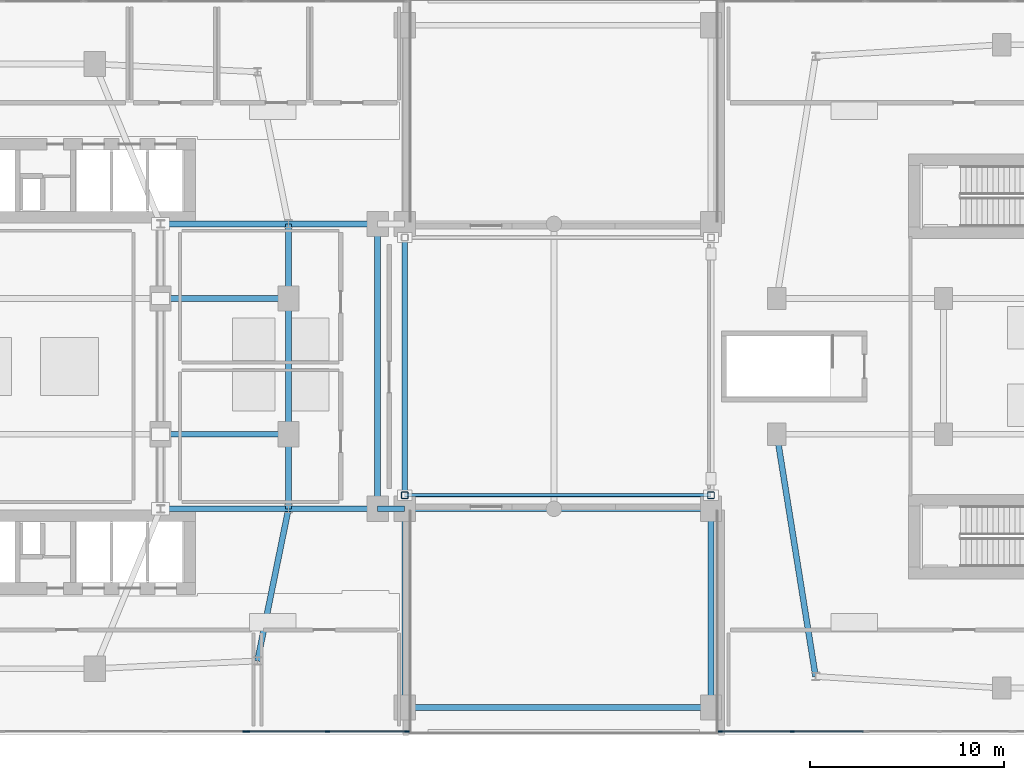
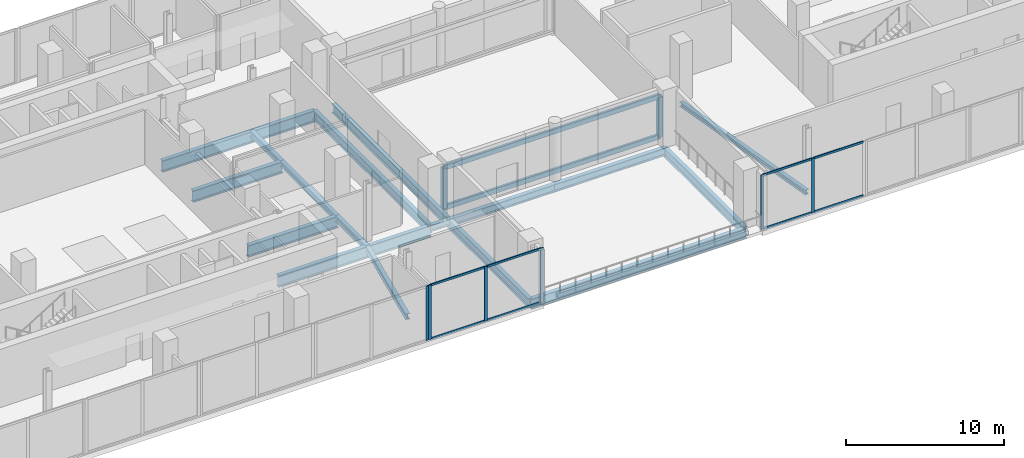
# One storey, part 6 of 21: 19 beams, 18 members, 3 elements without a shape of their own.
"""IFC4 building model written with IfcOpenShell, lengths in metres."""

import ifcopenshell
import ifcopenshell.guid

model = None  # the IFC model being written
_history = None  # IfcOwnerHistory: only IFC2X3 demands one
_inside = {}  # id of a spatial element -> (the spatial element, [elements in it])
_under = {}  # id of a project, library or spatial element -> (it, [spatial elements below it])
_declared = {}  # id of a project -> (the project, [libraries it declares])
_typed = {}  # id of a type object -> (the type object, [elements of that type])
_made_of = {}  # id of a material, layer set ... -> (it, [elements and type objects made of it])


def new_model(schema):
    """Start an empty IFC model of exactly this schema.

    Asked for "IFC4X3", IfcOpenShell would pick the latest addendum, in which some entities
    have other attributes; the version numbers below select the first issue.
    IFC2X3 requires an IfcOwnerHistory on every rooted entity: one is made here for all.
    """
    global model, _history
    if schema == "IFC4X3":
        model = ifcopenshell.file(schema_version=(4, 3, 0, 0))
    else:
        model = ifcopenshell.file(schema=schema)
    _inside.clear()
    _under.clear()
    _declared.clear()
    _typed.clear()
    _made_of.clear()
    _history = None
    if model.schema == "IFC2X3":
        org = make("IfcOrganization", Name="unknown")
        user = make(
            "IfcPersonAndOrganization",
            ThePerson=make("IfcPerson", FamilyName="unknown"),
            TheOrganization=org,
        )
        app = make(
            "IfcApplication",
            ApplicationDeveloper=org,
            Version="unknown",
            ApplicationFullName="unknown",
            ApplicationIdentifier="unknown",
        )
        _history = make(
            "IfcOwnerHistory",
            OwningUser=user,
            OwningApplication=app,
            ChangeAction="ADDED",
            CreationDate=0,
        )
    return model


def make(cls, **values):
    """One entity of the class cls with the attributes given. An attribute that is None is left unset."""
    return model.create_entity(
        cls, **{name: value for name, value in values.items() if value is not None}
    )


def rooted(cls, **values):
    """An entity with a GlobalId (a new one), such as an element, a storey or a relation."""
    return make(cls, GlobalId=ifcopenshell.guid.new(), OwnerHistory=_history, **values)


def si_unit(unit_type, name, prefix=None):
    """IfcSIUnit, for example si_unit("LENGTHUNIT", "METRE", prefix="MILLI")."""
    return make("IfcSIUnit", UnitType=unit_type, Prefix=prefix, Name=name)


def derived_unit(unit_type, elements):
    """IfcDerivedUnit: a product of units, each with its exponent."""
    return make(
        "IfcDerivedUnit",
        Elements=[
            make("IfcDerivedUnitElement", Unit=unit, Exponent=power)
            for unit, power in elements
        ],
        UnitType=unit_type,
    )


def assignment(units):
    """IfcUnitAssignment: the units of a project."""
    return None if units is None else make("IfcUnitAssignment", Units=units)


def point(xyz):
    """IfcCartesianPoint."""
    return None if xyz is None else make("IfcCartesianPoint", Coordinates=xyz)


def direction(xyz):
    """IfcDirection."""
    return None if xyz is None else make("IfcDirection", DirectionRatios=xyz)


def frame(location, z_axis=None, x_axis=None):
    """IfcAxis2Placement3D, a coordinate frame: its origin and axes. An axis left out is left unset."""
    return make(
        "IfcAxis2Placement3D",
        Location=point(location),
        Axis=direction(z_axis),
        RefDirection=direction(x_axis),
    )


def frame_2d(location, x_axis=None):
    """IfcAxis2Placement2D, a coordinate frame in the plane: its origin and x axis."""
    return make(
        "IfcAxis2Placement2D", Location=point(location), RefDirection=direction(x_axis)
    )


def origin():
    """The frame at (0, 0, 0) with its axes left unset."""
    return frame((0.0, 0.0, 0.0))


def origin_2d():
    """The frame at (0, 0) in the plane with its x axis left unset."""
    return frame_2d((0.0, 0.0))


def place(relative_to, where):
    """IfcLocalPlacement: puts the frame where relative to a parent placement (None: the world)."""
    return make(
        "IfcLocalPlacement", PlacementRelTo=relative_to, RelativePlacement=where
    )


def context(
    kind, dimensions, precision=None, world=None, true_north=None, identifier=None
):
    """IfcGeometricRepresentationContext, for example the 3D "Model" context."""
    return make(
        "IfcGeometricRepresentationContext",
        ContextIdentifier=identifier,
        ContextType=kind,
        CoordinateSpaceDimension=dimensions,
        Precision=precision,
        WorldCoordinateSystem=world,
        TrueNorth=true_north,
    )


def subcontext(parent, identifier, kind, view, scale=None):
    """IfcGeometricRepresentationSubContext, for example "Body" below "Model"."""
    return make(
        "IfcGeometricRepresentationSubContext",
        ContextIdentifier=identifier,
        ContextType=kind,
        ParentContext=parent,
        TargetScale=scale,
        TargetView=view,
    )


def project(units=None, contexts=None):
    """IfcProject with its units and contexts."""
    return rooted(
        "IfcProject",
        Name="project",
        RepresentationContexts=contexts,
        UnitsInContext=assignment(units),
    )


def spatial(cls, under=None, at=None, **own):
    """A site, building, storey or space (cls), placed at a placement, below another one or the project."""
    s = rooted(cls, ObjectPlacement=at, **own)
    if under is not None:
        _under.setdefault(under.id(), (under, []))[1].append(s)
    return s


def profile(cls, at=None, kind="AREA", **sizes):
    """A parametric profile (cls). Its sizes go by their IFC names, for example OverallWidth=200.0."""
    return make(cls, ProfileType=kind, Position=at, **sizes)


def rectangle(**sizes):
    """IfcRectangleProfileDef."""
    return profile("IfcRectangleProfileDef", **sizes)


def hollow_rectangle(**sizes):
    """IfcRectangleHollowProfileDef."""
    return profile("IfcRectangleHollowProfileDef", **sizes)


def i_section(**sizes):
    """IfcIShapeProfileDef."""
    return profile("IfcIShapeProfileDef", **sizes)


def extrude(swept, where, along, depth):
    """IfcExtrudedAreaSolid: the profile swept, set in the frame where, extruded along a direction by depth."""
    return make(
        "IfcExtrudedAreaSolid",
        SweptArea=swept,
        Position=where,
        ExtrudedDirection=direction(along),
        Depth=depth,
    )


def shape(context_of_items, identifier, shape_type, items):
    """IfcShapeRepresentation: the items that make up one representation, for example the "Body"."""
    return make(
        "IfcShapeRepresentation",
        ContextOfItems=context_of_items,
        RepresentationIdentifier=identifier,
        RepresentationType=shape_type,
        Items=items,
    )


def material(Name=None, Category=None):
    """IfcMaterial."""
    return make("IfcMaterial", Name=Name, Category=Category)


def layer(
    of_material, thickness, ventilated=None, Name=None, Category=None, Priority=None
):
    """IfcMaterialLayer: one layer of a wall or slab, of a material (None: an air gap)."""
    return make(
        "IfcMaterialLayer",
        Material=of_material,
        LayerThickness=thickness,
        IsVentilated=ventilated,
        Name=Name,
        Category=Category,
        Priority=Priority,
    )


def layer_set(layers, Name=None):
    """IfcMaterialLayerSet."""
    return make("IfcMaterialLayerSet", MaterialLayers=layers, LayerSetName=Name)


def material_profile(
    of_material, cross_section, Name=None, Category=None, Priority=None
):
    """IfcMaterialProfile: a cross section and its material."""
    return make(
        "IfcMaterialProfile",
        Name=Name,
        Material=of_material,
        Profile=cross_section,
        Priority=Priority,
        Category=Category,
    )


def profile_set(profiles, Name=None, composite=None):
    """IfcMaterialProfileSet."""
    return make(
        "IfcMaterialProfileSet",
        Name=Name,
        MaterialProfiles=profiles,
        CompositeProfile=composite,
    )


def made_of(thing, what):
    """Note that an element or type object is made of a material, layer set ...; save() writes the relation."""
    if what is not None:
        _made_of.setdefault(what.id(), (what, []))[1].append(thing)
    return thing


def type_object(cls, material=None, **own):
    """A type object (cls), such as IfcWallType, which elements share."""
    return made_of(rooted(cls, **own), material)


def element(
    cls,
    number,
    at=None,
    inside=None,
    cuts=None,
    type_object=None,
    material=None,
    context=None,
    identifier="Body",
    shape_type=None,
    held_by="IfcProductDefinitionShape",
    body=None,
    shapes=None,
    **own,
):
    """One element of the class cls, such as IfcWall. Its Tag is "e" and its number.

    at: its placement. inside: the storey or other place that contains it. cuts: it is an
    opening in that element (IfcRelVoidsElement). A single representation is given by context,
    identifier, shape_type and body (its items); several are given by shapes. held_by: the class
    of the entity that holds the representations. save() writes the other relations.
    """
    e = rooted(cls, Tag="e%d" % number, ObjectPlacement=at, **own)
    if body is not None:
        shapes = [shape(context, identifier, shape_type, body)]
    if shapes is not None:
        e.Representation = make(held_by, Representations=shapes)
    if inside is not None:
        _inside.setdefault(inside.id(), (inside, []))[1].append(e)
    if cuts is not None:
        rooted(
            "IfcRelVoidsElement", RelatingBuildingElement=cuts, RelatedOpeningElement=e
        )
    if type_object is not None:
        _typed.setdefault(type_object.id(), (type_object, []))[1].append(e)
    return made_of(e, material)


def aggregate(whole, parts):
    """IfcRelAggregates: a whole, such as a stair, and the parts it consists of."""
    return rooted("IfcRelAggregates", RelatingObject=whole, RelatedObjects=parts)


def save(model, path):
    """Write the relations noted so far, then the file.

    IfcRelAggregates (storeys below a building ...), IfcRelContainedInSpatialStructure (elements
    in a storey), IfcRelDefinesByType, IfcRelAssociatesMaterial and IfcRelDeclares: one each for
    every whole, place, type object, material and project.
    """
    for whole, parts in _under.values():
        aggregate(whole, parts)
    for where, things in _inside.values():
        rooted(
            "IfcRelContainedInSpatialStructure",
            RelatedElements=things,
            RelatingStructure=where,
        )
    for kind, things in _typed.values():
        rooted("IfcRelDefinesByType", RelatedObjects=things, RelatingType=kind)
    for what, things in _made_of.values():
        rooted("IfcRelAssociatesMaterial", RelatedObjects=things, RelatingMaterial=what)
    for by, libraries in _declared.values():
        rooted("IfcRelDeclares", RelatingContext=by, RelatedDefinitions=libraries)
    model.write(path)


model = new_model("IFC4")

# Units and contexts
model_context = context("Model", 3, precision=1e-05, world=origin(), true_north=direction((0.0, 1.0)))
body_context = subcontext(model_context, "Body", "Model", "MODEL_VIEW")
ifc_project = project(units=[si_unit("LENGTHUNIT", "METRE"), si_unit("AREAUNIT", "SQUARE_METRE"), si_unit("VOLUMEUNIT", "CUBIC_METRE"), si_unit("PLANEANGLEUNIT", "RADIAN"), si_unit("MASSUNIT", "GRAM", prefix="KILO"), derived_unit("THERMALTRANSMITTANCEUNIT", [(si_unit("POWERUNIT", "WATT"), 1), (si_unit("LENGTHUNIT", "METRE"), -2), (si_unit("THERMODYNAMICTEMPERATUREUNIT", "KELVIN"), -1)])], contexts=[model_context])

# Site, building, storey
site_placement = place(None, origin())
site = spatial("IfcSite", under=ifc_project, at=site_placement, CompositionType="ELEMENT")
building_placement = place(site_placement, origin())
building = spatial("IfcBuilding", under=site, at=building_placement, Name="Kivonza Crest Hotel", CompositionType="ELEMENT")
storey_placement = place(building_placement, frame((0.0, 0.0, 19.5)))
storey = spatial("IfcBuildingStorey", under=building, at=storey_placement, Name="L04", CompositionType="ELEMENT", Elevation=19.5)

# Beams
ifc_material_1 = material(Name="Steel S355", Category="steel")
ifc_material_profile_1 = material_profile(ifc_material_1, i_section(OverallWidth=0.300048828125, OverallDepth=0.360107421875, WebThickness=0.012451171875, FlangeThickness=0.0224609375, FilletRadius=0.027099609375, at=origin_2d()), Name="HEB 360")
ifc_profile_set_1 = profile_set([ifc_material_profile_1], Name="Steel S355")
beam_type_1 = type_object("IfcBeamType", Name="BM-HEB360", PredefinedType="SPANDREL", material=ifc_profile_set_1)
beam_1_placement = place(storey_placement, frame((61.0, 21.5, -0.580078125), z_axis=(0.157990501107, -0.987440631917, 0.0), x_axis=(0.987440631917, 0.157990501107, 0.0)))
element("IfcBeam", 1, at=beam_1_placement, inside=storey, type_object=beam_type_1, Name="Companion Tower T2 L04 perimeter spandrel W1-SW", PredefinedType="SPANDREL", context=body_context, shape_type="SweptSolid", body=[
    extrude(i_section(OverallWidth=0.300048828125, OverallDepth=0.360107421875, WebThickness=0.012451171875, FlangeThickness=0.0224609375, FilletRadius=0.027099609375, at=origin_2d()), origin(), (0.0, 0.0, 1.0), 12.658935546875),
])
ifc_material_profile_2 = material_profile(ifc_material_1, i_section(OverallWidth=0.300048828125, OverallDepth=0.449951171875, WebThickness=0.013916015625, FlangeThickness=0.02587890625, FilletRadius=0.027099609375, at=origin_2d()), Name="HEB 450")
ifc_profile_set_2 = profile_set([ifc_material_profile_2], Name="Steel S355")
beam_type_2 = type_object("IfcBeamType", Name="BM-HEB450", PredefinedType="SPANDREL", material=ifc_profile_set_2)
beam_2_placement = place(storey_placement, frame((34.199951171875, 9.800048828125, -0.625), z_axis=(0.199730733965, 0.979850822273, 0.0), x_axis=(-0.979850822273, 0.199730733965, 0.0)))
element("IfcBeam", 2, at=beam_2_placement, inside=storey, type_object=beam_type_2, Name="Tower T1 L04 perimeter spandrel SE-PSE", PredefinedType="SPANDREL", context=body_context, shape_type="SweptSolid", body=[
    extrude(i_section(OverallWidth=0.300048828125, OverallDepth=0.449951171875, WebThickness=0.013916015625, FlangeThickness=0.02587890625, FilletRadius=0.027099609375, at=origin_2d()), origin(), (0.0, 0.0, 1.0), 8.01123046875),
])
beam_3_placement = place(storey_placement, frame((35.800048828125, 17.64990234375, -0.625), z_axis=(0.0, 1.0, 0.0), x_axis=(-1.0, 0.0, 0.0)))
element("IfcBeam", 3, at=beam_3_placement, inside=storey, type_object=beam_type_2, Name="Tower T1 L04 perimeter spandrel PSE-E1", PredefinedType="SPANDREL", context=body_context, shape_type="SweptSolid", body=[
    extrude(i_section(OverallWidth=0.300048828125, OverallDepth=0.449951171875, WebThickness=0.013916015625, FlangeThickness=0.02587890625, FilletRadius=0.027099609375, at=origin_2d()), origin(), (0.0, 0.0, 1.0), 3.85009765625),
])
beam_4_placement = place(storey_placement, frame((35.800048828125, 21.5, -0.625), z_axis=(0.0, 1.0, 0.0), x_axis=(-1.0, 0.0, 0.0)))
element("IfcBeam", 4, at=beam_4_placement, inside=storey, type_object=beam_type_2, Name="Tower T1 L04 perimeter spandrel E1-E2", PredefinedType="SPANDREL", context=body_context, shape_type="SweptSolid", body=[
    extrude(i_section(OverallWidth=0.300048828125, OverallDepth=0.449951171875, WebThickness=0.013916015625, FlangeThickness=0.02587890625, FilletRadius=0.027099609375, at=origin_2d()), origin(), (0.0, 0.0, 1.0), 7.0),
])
beam_5_placement = place(storey_placement, frame((35.800048828125, 28.5, -0.625), z_axis=(0.0, 1.0, 0.0), x_axis=(-1.0, 0.0, 0.0)))
element("IfcBeam", 5, at=beam_5_placement, inside=storey, type_object=beam_type_2, Name="Tower T1 L04 perimeter spandrel E2-PNE", PredefinedType="SPANDREL", context=body_context, shape_type="SweptSolid", body=[
    extrude(i_section(OverallWidth=0.300048828125, OverallDepth=0.449951171875, WebThickness=0.013916015625, FlangeThickness=0.02587890625, FilletRadius=0.027099609375, at=origin_2d()), origin(), (0.0, 0.0, 1.0), 3.85009765625),
])
ifc_material_profile_3 = material_profile(ifc_material_1, i_section(OverallWidth=0.300048828125, OverallDepth=0.5, WebThickness=0.014404296875, FlangeThickness=0.028076171875, FilletRadius=0.027099609375, at=origin_2d()), Name="HEB 500")
ifc_profile_set_3 = profile_set([ifc_material_profile_3], Name="Steel S355")
beam_type_3 = type_object("IfcBeamType", Name="BM-HEB500", PredefinedType="BEAM", material=ifc_profile_set_3)
beam_6_placement = place(storey_placement, frame((40.39990234375, 17.64990234375, -0.64990234375), z_axis=(1.0, 0.0, 0.0), x_axis=(0.0, 1.0, 0.0)))
element("IfcBeam", 6, at=beam_6_placement, inside=storey, type_object=beam_type_3, Name="L04 podium girder X 6", PredefinedType="BEAM", context=body_context, shape_type="SweptSolid", body=[
    extrude(i_section(OverallWidth=0.300048828125, OverallDepth=0.5, WebThickness=0.014404296875, FlangeThickness=0.028076171875, FilletRadius=0.027099609375, at=origin_2d()), origin(), (0.0, 0.0, 1.0), 1.400146484375),
])
ifc_material_profile_4 = material_profile(ifc_material_1, i_section(OverallWidth=0.300048828125, OverallDepth=0.60009765625, WebThickness=0.015380859375, FlangeThickness=0.030029296875, FilletRadius=0.027099609375, at=origin_2d()), Name="HEB 600")
ifc_profile_set_4 = profile_set([ifc_material_profile_4], Name="Steel S355")
beam_type_4 = type_object("IfcBeamType", Name="BM-HEB600", PredefinedType="BEAM", material=ifc_profile_set_4)
beam_7_placement = place(storey_placement, frame((41.800048828125, 17.64990234375, -0.699951171875), z_axis=(1.0, 0.0, 0.0), x_axis=(0.0, 1.0, 0.0)))
element("IfcBeam", 7, at=beam_7_placement, inside=storey, type_object=beam_type_4, Name="L04 podium girder X 7", PredefinedType="BEAM", context=body_context, shape_type="SweptSolid", body=[
    extrude(i_section(OverallWidth=0.300048828125, OverallDepth=0.60009765625, WebThickness=0.015380859375, FlangeThickness=0.030029296875, FilletRadius=0.027099609375, at=origin_2d()), origin(), (0.0, 0.0, 1.0), 7.699951171875),
])
beam_8_placement = place(storey_placement, frame((49.5, 17.64990234375, -0.699951171875), z_axis=(1.0, 0.0, 0.0), x_axis=(0.0, 1.0, 0.0)))
element("IfcBeam", 8, at=beam_8_placement, inside=storey, type_object=beam_type_4, Name="L04 podium girder X 8", PredefinedType="BEAM", context=body_context, shape_type="SweptSolid", body=[
    extrude(i_section(OverallWidth=0.300048828125, OverallDepth=0.60009765625, WebThickness=0.015380859375, FlangeThickness=0.030029296875, FilletRadius=0.027099609375, at=origin_2d()), origin(), (0.0, 0.0, 1.0), 8.10009765625),
])
ifc_material_profile_5 = material_profile(ifc_material_1, i_section(OverallWidth=0.300048828125, OverallDepth=0.699951171875, WebThickness=0.01708984375, FlangeThickness=0.031982421875, FilletRadius=0.027099609375, at=origin_2d()), Name="HEB 700")
ifc_profile_set_5 = profile_set([ifc_material_profile_5], Name="Steel S355")
beam_type_5 = type_object("IfcBeamType", Name="BM-HEB700", PredefinedType="BEAM", material=ifc_profile_set_5)
beam_9_placement = place(storey_placement, frame((40.39990234375, 17.64990234375, -0.75), z_axis=(0.0, 1.0, 0.0), x_axis=(-1.0, 0.0, 0.0)))
element("IfcBeam", 9, at=beam_9_placement, inside=storey, type_object=beam_type_5, Name="L04 podium girder Y 42", PredefinedType="BEAM", context=body_context, shape_type="SweptSolid", body=[
    extrude(i_section(OverallWidth=0.300048828125, OverallDepth=0.699951171875, WebThickness=0.01708984375, FlangeThickness=0.031982421875, FilletRadius=0.027099609375, at=origin_2d()), origin(), (0.0, 0.0, 1.0), 14.7001953125),
])
beam_10_placement = place(storey_placement, frame((41.800048828125, 7.39990234375, -0.75), z_axis=(0.0, 1.0, 0.0), x_axis=(-1.0, 0.0, 0.0)))
element("IfcBeam", 10, at=beam_10_placement, inside=storey, type_object=beam_type_5, Name="L04 podium girder Y 43", PredefinedType="BEAM", context=body_context, shape_type="SweptSolid", body=[
    extrude(i_section(OverallWidth=0.300048828125, OverallDepth=0.699951171875, WebThickness=0.01708984375, FlangeThickness=0.031982421875, FilletRadius=0.027099609375, at=origin_2d()), origin(), (0.0, 0.0, 1.0), 10.25),
])
beam_11_placement = place(storey_placement, frame((41.800048828125, 17.64990234375, -0.75), z_axis=(0.0, 1.0, 0.0), x_axis=(-1.0, 0.0, 0.0)))
element("IfcBeam", 11, at=beam_11_placement, inside=storey, type_object=beam_type_5, Name="L04 podium girder Y 44", PredefinedType="BEAM", context=body_context, shape_type="SweptSolid", body=[
    extrude(i_section(OverallWidth=0.300048828125, OverallDepth=0.699951171875, WebThickness=0.01708984375, FlangeThickness=0.031982421875, FilletRadius=0.027099609375, at=origin_2d()), origin(), (0.0, 0.0, 1.0), 14.7001953125),
])
beam_12_placement = place(storey_placement, frame((57.60009765625, 7.39990234375, -0.75), z_axis=(0.0, 1.0, 0.0), x_axis=(-1.0, 0.0, 0.0)))
element("IfcBeam", 12, at=beam_12_placement, inside=storey, type_object=beam_type_5, Name="L04 podium girder Y 47", PredefinedType="BEAM", context=body_context, shape_type="SweptSolid", body=[
    extrude(i_section(OverallWidth=0.300048828125, OverallDepth=0.699951171875, WebThickness=0.01708984375, FlangeThickness=0.031982421875, FilletRadius=0.027099609375, at=origin_2d()), origin(), (0.0, 0.0, 1.0), 10.25),
])
ifc_material_profile_6 = material_profile(ifc_material_1, i_section(OverallWidth=0.300048828125, OverallDepth=0.800048828125, WebThickness=0.017578125, FlangeThickness=0.032958984375, FilletRadius=0.030029296875, at=origin_2d()), Name="HEB 800")
ifc_profile_set_6 = profile_set([ifc_material_profile_6], Name="Steel S355")
beam_type_6 = type_object("IfcBeamType", Name="BM-HEB800", PredefinedType="BEAM", material=ifc_profile_set_6)
beam_13_placement = place(storey_placement, frame((41.800048828125, 7.39990234375, -0.800048828125), z_axis=(1.0, 0.0, 0.0), x_axis=(0.0, 1.0, 0.0)))
element("IfcBeam", 13, at=beam_13_placement, inside=storey, type_object=beam_type_6, Name="L04 podium girder X 1", PredefinedType="BEAM", context=body_context, shape_type="SweptSolid", body=[
    extrude(i_section(OverallWidth=0.300048828125, OverallDepth=0.800048828125, WebThickness=0.017578125, FlangeThickness=0.032958984375, FilletRadius=0.030029296875, at=origin_2d()), origin(), (0.0, 0.0, 1.0), 15.800048828125),
])
ifc_material_profile_7 = material_profile(ifc_material_1, i_section(OverallWidth=0.300048828125, OverallDepth=0.89990234375, WebThickness=0.0185546875, FlangeThickness=0.034912109375, FilletRadius=0.030029296875, at=origin_2d()), Name="HEB 900")
ifc_profile_set_7 = profile_set([ifc_material_profile_7], Name="Steel S355")
beam_type_7 = type_object("IfcBeamType", Name="BM-HEB900", PredefinedType="BEAM", material=ifc_profile_set_7)
for number, where, z_axis, x_axis, name in (
    (14, (29.199951171875, 17.64990234375, -0.85009765625), (1.0, 0.0, 0.0), (0.0, 1.0, 0.0), "Tower T1 L04 primary girder TSE-PSE"),
    (15, (29.199951171875, 32.35009765625, -0.85009765625), (1.0, 0.0, 0.0), (0.0, 1.0, 0.0), "Tower T1 L04 primary girder TNE-PNE"),
    (16, (29.199951171875, 21.5, -0.85009765625), (1.0, 0.0, 0.0), (0.0, 1.0, 0.0), "Tower T1 L04 primary girder WR1-E1"),
    (17, (29.199951171875, 28.5, -0.85009765625), (1.0, 0.0, 0.0), (0.0, 1.0, 0.0), "Tower T1 L04 primary girder WR2-E2"),
):
    element("IfcBeam", number, at=place(storey_placement, frame(where, z_axis=z_axis, x_axis=x_axis)), inside=storey, type_object=beam_type_7, Name=name, PredefinedType="BEAM", context=body_context, shape_type="SweptSolid", body=[
        extrude(i_section(OverallWidth=0.300048828125, OverallDepth=0.89990234375, WebThickness=0.0185546875, FlangeThickness=0.034912109375, FilletRadius=0.030029296875, at=origin_2d()), origin(), (0.0, 0.0, 1.0), 6.60009765625),
    ])
for number, where, z_axis, x_axis, name in (
    (18, (40.39990234375, 17.64990234375, -0.85009765625), (-1.0, 0.0, 0.0), (0.0, -1.0, 0.0), "Tower T1 L04 outer bay girder ZE1"),
    (19, (40.39990234375, 32.35009765625, -0.85009765625), (-1.0, 0.0, 0.0), (0.0, -1.0, 0.0), "Tower T1 L04 outer bay girder ZE2"),
):
    element("IfcBeam", number, at=place(storey_placement, frame(where, z_axis=z_axis, x_axis=x_axis)), inside=storey, type_object=beam_type_7, Name=name, PredefinedType="BEAM", context=body_context, shape_type="SweptSolid", body=[
        extrude(i_section(OverallWidth=0.300048828125, OverallDepth=0.89990234375, WebThickness=0.0185546875, FlangeThickness=0.034912109375, FilletRadius=0.030029296875, at=origin_2d()), origin(), (0.0, 0.0, 1.0), 4.599853515625),
    ])

# Curtain wall, member
ifc_material_2 = material(Name="Anodised bronze aluminium and low-E double glazing", Category="aluminium")
ifc_layer = layer(ifc_material_2, 0.199951171875)
ifc_layer_set = layer_set([ifc_layer], Name="Anodised bronze aluminium and low-E double glazing")
curtain_wall_type = type_object("IfcCurtainWallType", Name="CW-SYS-6", PredefinedType="NOTDEFINED", material=ifc_layer_set)
curtain_wall_1_placement = place(storey_placement, origin())
curtain_wall_1 = element("IfcCurtainWall", 20, at=curtain_wall_1_placement, inside=storey, type_object=curtain_wall_type, Name="L04 unitised curtain wall CW-POD-L04-04", PredefinedType="NOTDEFINED")
ifc_material_3 = material(Name="Anodised bronze aluminium", Category="aluminium")
ifc_material_profile_8 = material_profile(ifc_material_3, rectangle(XDim=0.074951171875, YDim=0.219970703125, at=origin_2d()), Name="CW-M 75x220")
ifc_profile_set_8 = profile_set([ifc_material_profile_8], Name="Anodised bronze aluminium")
member_type_1 = type_object("IfcMemberType", Name="CW-MUL-75x220", PredefinedType="MULLION", material=ifc_profile_set_8)
member_1_placement = place(storey_placement, frame((33.53857421875, 6.159912109375, 0.0), z_axis=(0.0, 0.0, 1.0), x_axis=(0.0, 1.0, 0.0)))
member_1 = element("IfcMember", 21, at=member_1_placement, type_object=member_type_1, Name="CW-6 mullion 3", PredefinedType="MULLION", context=body_context, shape_type="SweptSolid", body=[
    extrude(rectangle(XDim=0.074951171875, YDim=0.219970703125, at=origin_2d()), origin(), (0.0, 0.0, 1.0), 4.219970703125),
])
aggregate(curtain_wall_1, [member_1])

# Curtain wall, members
curtain_wall_2_placement = place(storey_placement, origin())
curtain_wall_2 = element("IfcCurtainWall", 22, at=curtain_wall_2_placement, inside=storey, type_object=curtain_wall_type, Name="L04 unitised curtain wall CW-POD-L04-05", PredefinedType="NOTDEFINED")
member_2_placement = place(storey_placement, frame((33.693603515625, 6.159912109375, 0.0), z_axis=(0.0, 0.0, 1.0), x_axis=(0.0, 1.0, 0.0)))
member_2 = element("IfcMember", 23, at=member_2_placement, type_object=member_type_1, Name="CW-6 mullion 1", PredefinedType="MULLION", context=body_context, shape_type="SweptSolid", body=[
    extrude(rectangle(XDim=0.074951171875, YDim=0.219970703125, at=origin_2d()), origin(), (0.0, 0.0, 1.0), 4.219970703125),
])
member_3_placement = place(storey_placement, frame((37.80810546875, 6.159912109375, 0.0), z_axis=(0.0, 0.0, 1.0), x_axis=(0.0, 1.0, 0.0)))
member_3 = element("IfcMember", 24, at=member_3_placement, type_object=member_type_1, Name="CW-6 mullion 2", PredefinedType="MULLION", context=body_context, shape_type="SweptSolid", body=[
    extrude(rectangle(XDim=0.074951171875, YDim=0.219970703125, at=origin_2d()), origin(), (0.0, 0.0, 1.0), 4.219970703125),
])
member_4_placement = place(storey_placement, frame((41.922607421875, 6.159912109375, 0.0), z_axis=(0.0, 0.0, 1.0), x_axis=(0.0, 1.0, 0.0)))
member_4 = element("IfcMember", 25, at=member_4_placement, type_object=member_type_1, Name="CW-6 mullion 3", PredefinedType="MULLION", context=body_context, shape_type="SweptSolid", body=[
    extrude(rectangle(XDim=0.074951171875, YDim=0.219970703125, at=origin_2d()), origin(), (0.0, 0.0, 1.0), 4.219970703125),
])

curtain_wall_3_placement = place(storey_placement, origin())
curtain_wall_3 = element("IfcCurtainWall", 26, at=curtain_wall_3_placement, inside=storey, type_object=curtain_wall_type, Name="L04 unitised curtain wall CW-POD-L04-11", PredefinedType="NOTDEFINED")
member_5_placement = place(storey_placement, frame((58.077392578125, 6.159912109375, 0.0), z_axis=(0.0, 0.0, 1.0), x_axis=(0.0, 1.0, 0.0)))
member_5 = element("IfcMember", 27, at=member_5_placement, type_object=member_type_1, Name="CW-6 mullion 1", PredefinedType="MULLION", context=body_context, shape_type="SweptSolid", body=[
    extrude(rectangle(XDim=0.074951171875, YDim=0.219970703125, at=origin_2d()), origin(), (0.0, 0.0, 1.0), 4.219970703125),
])
member_6_placement = place(storey_placement, frame((61.7919921875, 6.159912109375, 0.0), z_axis=(0.0, 0.0, 1.0), x_axis=(0.0, 1.0, 0.0)))
member_6 = element("IfcMember", 28, at=member_6_placement, type_object=member_type_1, Name="CW-6 mullion 2", PredefinedType="MULLION", context=body_context, shape_type="SweptSolid", body=[
    extrude(rectangle(XDim=0.074951171875, YDim=0.219970703125, at=origin_2d()), origin(), (0.0, 0.0, 1.0), 4.219970703125),
])

# Member
ifc_material_profile_9 = material_profile(ifc_material_3, rectangle(XDim=0.074951171875, YDim=0.159912109375, at=origin_2d()), Name="CW-T 75x160")
ifc_profile_set_9 = profile_set([ifc_material_profile_9], Name="Anodised bronze aluminium")
member_type_2 = type_object("IfcMemberType", Name="CW-TRN-75x160", PredefinedType="USERDEFINED", material=ifc_profile_set_9)
member_7_placement = place(storey_placement, frame((33.73095703125, 6.159912109375, 0.03759765625), z_axis=(1.0, 0.0, 0.0), x_axis=(0.0, 1.0, 0.0)))
member_7 = element("IfcMember", 29, at=member_7_placement, type_object=member_type_2, Name="CW-6 transom 1.1", ObjectType="TRANSOM", PredefinedType="USERDEFINED", context=body_context, shape_type="SweptSolid", body=[
    extrude(rectangle(XDim=0.074951171875, YDim=0.159912109375, at=origin_2d()), origin(), (0.0, 0.0, 1.0), 4.03955078125),
])

member_8_placement = place(storey_placement, frame((33.73095703125, 6.159912109375, 4.1826171875), z_axis=(1.0, 0.0, 0.0), x_axis=(0.0, 1.0, 0.0)))
member_8 = element("IfcMember", 30, at=member_8_placement, type_object=member_type_2, Name="CW-6 transom 1.2", ObjectType="TRANSOM", PredefinedType="USERDEFINED", context=body_context, shape_type="SweptSolid", body=[
    extrude(rectangle(XDim=0.074951171875, YDim=0.159912109375, at=origin_2d()), origin(), (0.0, 0.0, 1.0), 4.03955078125),
])

member_9_placement = place(storey_placement, frame((37.845458984375, 6.159912109375, 0.03759765625), z_axis=(1.0, 0.0, 0.0), x_axis=(0.0, 1.0, 0.0)))
member_9 = element("IfcMember", 31, at=member_9_placement, type_object=member_type_2, Name="CW-6 transom 2.1", ObjectType="TRANSOM", PredefinedType="USERDEFINED", context=body_context, shape_type="SweptSolid", body=[
    extrude(rectangle(XDim=0.074951171875, YDim=0.159912109375, at=origin_2d()), origin(), (0.0, 0.0, 1.0), 4.03955078125),
])

member_10_placement = place(storey_placement, frame((37.845458984375, 6.159912109375, 4.1826171875), z_axis=(1.0, 0.0, 0.0), x_axis=(0.0, 1.0, 0.0)))
member_10 = element("IfcMember", 32, at=member_10_placement, type_object=member_type_2, Name="CW-6 transom 2.2", ObjectType="TRANSOM", PredefinedType="USERDEFINED", context=body_context, shape_type="SweptSolid", body=[
    extrude(rectangle(XDim=0.074951171875, YDim=0.159912109375, at=origin_2d()), origin(), (0.0, 0.0, 1.0), 4.03955078125),
])

aggregate(curtain_wall_2, [member_2, member_3, member_4, member_7, member_8, member_9, member_10])

member_11_placement = place(storey_placement, frame((58.114990234375, 6.159912109375, 0.03759765625), z_axis=(1.0, 0.0, 0.0), x_axis=(0.0, 1.0, 0.0)))
member_11 = element("IfcMember", 33, at=member_11_placement, type_object=member_type_2, Name="CW-6 transom 1.1", ObjectType="TRANSOM", PredefinedType="USERDEFINED", context=body_context, shape_type="SweptSolid", body=[
    extrude(rectangle(XDim=0.074951171875, YDim=0.159912109375, at=origin_2d()), origin(), (0.0, 0.0, 1.0), 3.639404296875),
])

member_12_placement = place(storey_placement, frame((58.114990234375, 6.159912109375, 4.1826171875), z_axis=(1.0, 0.0, 0.0), x_axis=(0.0, 1.0, 0.0)))
member_12 = element("IfcMember", 34, at=member_12_placement, type_object=member_type_2, Name="CW-6 transom 1.2", ObjectType="TRANSOM", PredefinedType="USERDEFINED", context=body_context, shape_type="SweptSolid", body=[
    extrude(rectangle(XDim=0.074951171875, YDim=0.159912109375, at=origin_2d()), origin(), (0.0, 0.0, 1.0), 3.639404296875),
])

member_13_placement = place(storey_placement, frame((61.82958984375, 6.159912109375, 0.03759765625), z_axis=(1.0, 0.0, 0.0), x_axis=(0.0, 1.0, 0.0)))
member_13 = element("IfcMember", 35, at=member_13_placement, type_object=member_type_2, Name="CW-6 transom 2.1", ObjectType="TRANSOM", PredefinedType="USERDEFINED", context=body_context, shape_type="SweptSolid", body=[
    extrude(rectangle(XDim=0.074951171875, YDim=0.159912109375, at=origin_2d()), origin(), (0.0, 0.0, 1.0), 3.639404296875),
])

member_14_placement = place(storey_placement, frame((61.82958984375, 6.159912109375, 4.1826171875), z_axis=(1.0, 0.0, 0.0), x_axis=(0.0, 1.0, 0.0)))
member_14 = element("IfcMember", 36, at=member_14_placement, type_object=member_type_2, Name="CW-6 transom 2.2", ObjectType="TRANSOM", PredefinedType="USERDEFINED", context=body_context, shape_type="SweptSolid", body=[
    extrude(rectangle(XDim=0.074951171875, YDim=0.159912109375, at=origin_2d()), origin(), (0.0, 0.0, 1.0), 3.639404296875),
])

aggregate(curtain_wall_3, [member_5, member_6, member_11, member_12, member_13, member_14])

# Members
ifc_material_profile_10 = material_profile(ifc_material_1, hollow_rectangle(XDim=0.199951171875, YDim=0.39990234375, WallThickness=0.01611328125, InnerFilletRadius=0.02392578125, OuterFilletRadius=0.0400390625, at=origin_2d()), Name="RHS 400x200x16")
ifc_profile_set_10 = profile_set([ifc_material_profile_10], Name="Steel S355")
member_type_3 = type_object("IfcMemberType", Name="MB-CHORD-RHS400", PredefinedType="CHORD", material=ifc_profile_set_10)
for number, where, z_axis, x_axis, name in (
    (37, (41.800048828125, 18.35009765625, 0.0), (1.0, 0.0, 0.0), (0.0, 1.0, 0.0), "Skybridge link truss BR-POD-L04-S bottom chord 1"),
    (38, (41.800048828125, 18.35009765625, 3.10009765625), (1.0, 0.0, 0.0), (0.0, 1.0, 0.0), "Skybridge link truss BR-POD-L04-S top chord 1"),
):
    element("IfcMember", number, at=place(storey_placement, frame(where, z_axis=z_axis, x_axis=x_axis)), inside=storey, type_object=member_type_3, Name=name, PredefinedType="CHORD", context=body_context, shape_type="SweptSolid", body=[
        extrude(hollow_rectangle(XDim=0.199951171875, YDim=0.39990234375, WallThickness=0.01611328125, InnerFilletRadius=0.02392578125, OuterFilletRadius=0.0400390625, at=origin_2d()), origin(), (0.0, 0.0, 1.0), 15.800048828125),
    ])
ifc_material_profile_11 = material_profile(ifc_material_1, hollow_rectangle(XDim=0.35009765625, YDim=0.35009765625, WallThickness=0.01611328125, InnerFilletRadius=0.02392578125, OuterFilletRadius=0.0400390625, at=origin_2d()), Name="SHS 350x350x16")
ifc_profile_set_11 = profile_set([ifc_material_profile_11], Name="Steel S355")
member_type_4 = type_object("IfcMemberType", Name="MB-POST-SHS350", PredefinedType="POST", material=ifc_profile_set_11)
for number, where, z_axis, x_axis, name in (
    (39, (41.800048828125, 18.35009765625, 0.0), (0.0, 0.0, 1.0), (1.0, 0.0, 0.0), "Skybridge link truss BR-POD-L04-S vertical post 1"),
    (40, (57.60009765625, 18.35009765625, 0.0), (0.0, 0.0, 1.0), (1.0, 0.0, 0.0), "Skybridge link truss BR-POD-L04-S vertical post 2"),
):
    element("IfcMember", number, at=place(storey_placement, frame(where, z_axis=z_axis, x_axis=x_axis)), inside=storey, type_object=member_type_4, Name=name, PredefinedType="POST", context=body_context, shape_type="SweptSolid", body=[
        extrude(hollow_rectangle(XDim=0.35009765625, YDim=0.35009765625, WallThickness=0.01611328125, InnerFilletRadius=0.02392578125, OuterFilletRadius=0.0400390625, at=origin_2d()), origin(), (0.0, 0.0, 1.0), 3.10009765625),
    ])

save(model, "model.ifc")
